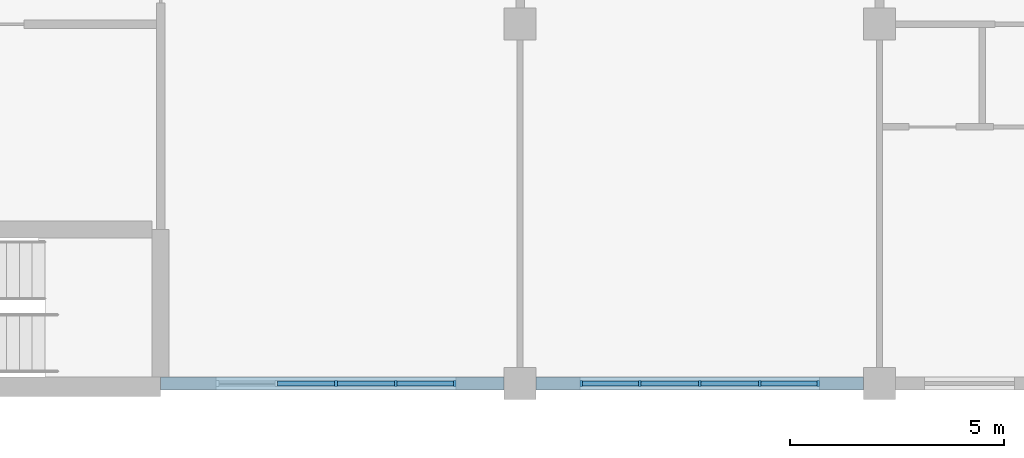
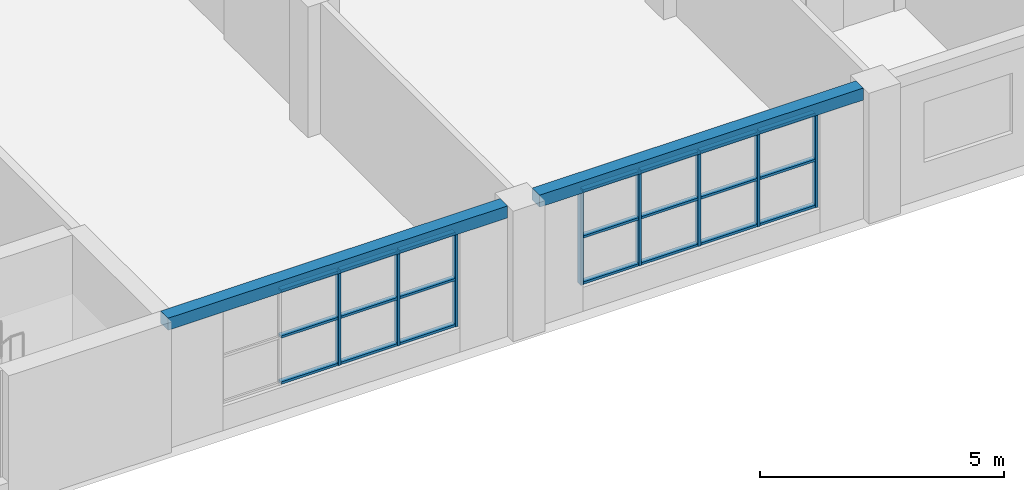
# One storey, part 12 of 61: 29 members, 2 beams, 2 elements without a shape of their own.
"""IFC4 building model written with IfcOpenShell, lengths in metres."""

from ifc_helpers import new_model, si_unit, direction, frame, origin, origin_2d, place, context, subcontext, project, spatial, rectangle, extrude, material, material_profile, profile_set, type_object, element, aggregate, save


model = new_model("IFC4")

# Units and contexts
model_context = context("Model", 3, precision=1e-05, world=origin(), true_north=direction((0.0, 1.0)))
body_context = subcontext(model_context, "Body", "Model", "MODEL_VIEW")
ifc_project = project(units=[si_unit("LENGTHUNIT", "METRE"), si_unit("AREAUNIT", "SQUARE_METRE"), si_unit("VOLUMEUNIT", "CUBIC_METRE"), si_unit("PLANEANGLEUNIT", "RADIAN"), si_unit("MASSUNIT", "GRAM", prefix="KILO")], contexts=[model_context])

# Site, building, storey
site_placement = place(None, origin())
site = spatial("IfcSite", under=ifc_project, at=site_placement, CompositionType="ELEMENT")
building_placement = place(site_placement, origin())
building = spatial("IfcBuilding", under=site, at=building_placement, Name="Yavir Park General Hospital", CompositionType="ELEMENT")
storey_placement = place(building_placement, frame((0.0, 0.0, 15.300048828125)))
storey = spatial("IfcBuildingStorey", under=building, at=storey_placement, Name="L03", CompositionType="ELEMENT", Elevation=15.300048828125)

# Curtain wall, members
ifc_material_1 = material(Name="Aluminium curtain wall frame with insulated glazing", Category="aluminium")
curtain_wall_type = type_object("IfcCurtainWallType", Name="Day room pocket glazing, ward floors, 2360 high, 1400 module", PredefinedType="NOTDEFINED", material=ifc_material_1)
curtain_wall_1_placement = place(storey_placement, origin())
curtain_wall_1 = element("IfcCurtainWall", 1, at=curtain_wall_1_placement, inside=storey, type_object=curtain_wall_type, Name="CW6 L03-006", PredefinedType="NOTDEFINED")
ifc_material_2 = material(Name="Aluminium", Category="aluminium")
ifc_material_profile_1 = material_profile(ifc_material_2, rectangle(XDim=0.139892578125, YDim=0.06005859375, at=origin_2d()), Name="AL 60x140")
ifc_profile_set_1 = profile_set([ifc_material_profile_1], Name="Aluminium")
member_type_1 = type_object("IfcMemberType", Name="Day room pocket glazing, ward floors, 2360 high mullion 60 x 140", PredefinedType="MULLION", material=ifc_profile_set_1)
member_1_placement = place(storey_placement, frame((113.300048828125, 0.0, 0.599853515625), z_axis=(0.0, 0.0, 1.0), x_axis=(0.0, 1.0, 0.0)))
member_1 = element("IfcMember", 2, at=member_1_placement, type_object=member_type_1, Name="CW6 mullion 3", PredefinedType="MULLION", context=body_context, shape_type="SweptSolid", body=[
    extrude(rectangle(XDim=0.139892578125, YDim=0.06005859375, at=origin_2d()), origin(), (0.0, 0.0, 1.0), 2.360107421875),
])
member_2_placement = place(storey_placement, frame((114.699951171875, 0.0, 0.599853515625), z_axis=(0.0, 0.0, 1.0), x_axis=(0.0, 1.0, 0.0)))
member_2 = element("IfcMember", 3, at=member_2_placement, type_object=member_type_1, Name="CW6 mullion 4", PredefinedType="MULLION", context=body_context, shape_type="SweptSolid", body=[
    extrude(rectangle(XDim=0.139892578125, YDim=0.06005859375, at=origin_2d()), origin(), (0.0, 0.0, 1.0), 2.360107421875),
])
member_3_placement = place(storey_placement, frame((116.070068359375, 0.0, 0.599853515625), z_axis=(0.0, 0.0, 1.0), x_axis=(0.0, 1.0, 0.0)))
member_3 = element("IfcMember", 4, at=member_3_placement, type_object=member_type_1, Name="CW6 mullion 5", PredefinedType="MULLION", context=body_context, shape_type="SweptSolid", body=[
    extrude(rectangle(XDim=0.139892578125, YDim=0.06005859375, at=origin_2d()), origin(), (0.0, 0.0, 1.0), 2.360107421875),
])

curtain_wall_2_placement = place(storey_placement, origin())
curtain_wall_2 = element("IfcCurtainWall", 5, at=curtain_wall_2_placement, inside=storey, type_object=curtain_wall_type, Name="CW6 L03-007", PredefinedType="NOTDEFINED")
member_4_placement = place(storey_placement, frame((119.030029296875, 0.0, 0.599853515625), z_axis=(0.0, 0.0, 1.0), x_axis=(0.0, 1.0, 0.0)))
member_4 = element("IfcMember", 6, at=member_4_placement, type_object=member_type_1, Name="CW6 mullion 1", PredefinedType="MULLION", context=body_context, shape_type="SweptSolid", body=[
    extrude(rectangle(XDim=0.139892578125, YDim=0.06005859375, at=origin_2d()), origin(), (0.0, 0.0, 1.0), 2.360107421875),
])
member_5_placement = place(storey_placement, frame((120.39990234375, 0.0, 0.599853515625), z_axis=(0.0, 0.0, 1.0), x_axis=(0.0, 1.0, 0.0)))
member_5 = element("IfcMember", 7, at=member_5_placement, type_object=member_type_1, Name="CW6 mullion 2", PredefinedType="MULLION", context=body_context, shape_type="SweptSolid", body=[
    extrude(rectangle(XDim=0.139892578125, YDim=0.06005859375, at=origin_2d()), origin(), (0.0, 0.0, 1.0), 2.360107421875),
])
member_6_placement = place(storey_placement, frame((121.800048828125, 0.0, 0.599853515625), z_axis=(0.0, 0.0, 1.0), x_axis=(0.0, 1.0, 0.0)))
member_6 = element("IfcMember", 8, at=member_6_placement, type_object=member_type_1, Name="CW6 mullion 3", PredefinedType="MULLION", context=body_context, shape_type="SweptSolid", body=[
    extrude(rectangle(XDim=0.139892578125, YDim=0.06005859375, at=origin_2d()), origin(), (0.0, 0.0, 1.0), 2.360107421875),
])
member_7_placement = place(storey_placement, frame((123.199951171875, 0.0, 0.599853515625), z_axis=(0.0, 0.0, 1.0), x_axis=(0.0, 1.0, 0.0)))
member_7 = element("IfcMember", 9, at=member_7_placement, type_object=member_type_1, Name="CW6 mullion 4", PredefinedType="MULLION", context=body_context, shape_type="SweptSolid", body=[
    extrude(rectangle(XDim=0.139892578125, YDim=0.06005859375, at=origin_2d()), origin(), (0.0, 0.0, 1.0), 2.360107421875),
])
member_8_placement = place(storey_placement, frame((124.570068359375, 0.0, 0.599853515625), z_axis=(0.0, 0.0, 1.0), x_axis=(0.0, 1.0, 0.0)))
member_8 = element("IfcMember", 10, at=member_8_placement, type_object=member_type_1, Name="CW6 mullion 5", PredefinedType="MULLION", context=body_context, shape_type="SweptSolid", body=[
    extrude(rectangle(XDim=0.139892578125, YDim=0.06005859375, at=origin_2d()), origin(), (0.0, 0.0, 1.0), 2.360107421875),
])

# Member
ifc_material_3 = material(Name="Aluminium", Category="aluminium")
ifc_material_profile_2 = material_profile(ifc_material_3, rectangle(XDim=0.1201171875, YDim=0.06005859375, at=origin_2d()), Name="AL 120x60")
ifc_profile_set_2 = profile_set([ifc_material_profile_2], Name="Aluminium")
member_type_2 = type_object("IfcMemberType", Name="Day room pocket glazing, ward floors, 2360 high transom 60 x 120", PredefinedType="MULLION", material=ifc_profile_set_2)
member_9_placement = place(storey_placement, frame((111.929931640625, 0.0, 0.6298828125), z_axis=(1.0, 0.0, 0.0), x_axis=(0.0, 1.0, 0.0)))
member_9 = element("IfcMember", 11, at=member_9_placement, type_object=member_type_2, Name="CW6 transom 2.1", PredefinedType="MULLION", context=body_context, shape_type="SweptSolid", body=[
    extrude(rectangle(XDim=0.1201171875, YDim=0.06005859375, at=origin_2d()), origin(), (0.0, 0.0, 1.0), 1.340087890625),
])

member_10_placement = place(storey_placement, frame((111.929931640625, 0.0, 1.780029296875), z_axis=(1.0, 0.0, 0.0), x_axis=(0.0, 1.0, 0.0)))
member_10 = element("IfcMember", 12, at=member_10_placement, type_object=member_type_2, Name="CW6 transom 2.2", PredefinedType="MULLION", context=body_context, shape_type="SweptSolid", body=[
    extrude(rectangle(XDim=0.1201171875, YDim=0.06005859375, at=origin_2d()), origin(), (0.0, 0.0, 1.0), 1.340087890625),
])

member_11_placement = place(storey_placement, frame((111.929931640625, 0.0, 2.929931640625), z_axis=(1.0, 0.0, 0.0), x_axis=(0.0, 1.0, 0.0)))
member_11 = element("IfcMember", 13, at=member_11_placement, type_object=member_type_2, Name="CW6 transom 2.3", PredefinedType="MULLION", context=body_context, shape_type="SweptSolid", body=[
    extrude(rectangle(XDim=0.1201171875, YDim=0.06005859375, at=origin_2d()), origin(), (0.0, 0.0, 1.0), 1.340087890625),
])

member_12_placement = place(storey_placement, frame((113.330078125, 0.0, 0.6298828125), z_axis=(1.0, 0.0, 0.0), x_axis=(0.0, 1.0, 0.0)))
member_12 = element("IfcMember", 14, at=member_12_placement, type_object=member_type_2, Name="CW6 transom 3.1", PredefinedType="MULLION", context=body_context, shape_type="SweptSolid", body=[
    extrude(rectangle(XDim=0.1201171875, YDim=0.06005859375, at=origin_2d()), origin(), (0.0, 0.0, 1.0), 1.33984375),
])

member_13_placement = place(storey_placement, frame((113.330078125, 0.0, 1.780029296875), z_axis=(1.0, 0.0, 0.0), x_axis=(0.0, 1.0, 0.0)))
member_13 = element("IfcMember", 15, at=member_13_placement, type_object=member_type_2, Name="CW6 transom 3.2", PredefinedType="MULLION", context=body_context, shape_type="SweptSolid", body=[
    extrude(rectangle(XDim=0.1201171875, YDim=0.06005859375, at=origin_2d()), origin(), (0.0, 0.0, 1.0), 1.33984375),
])

member_14_placement = place(storey_placement, frame((113.330078125, 0.0, 2.929931640625), z_axis=(1.0, 0.0, 0.0), x_axis=(0.0, 1.0, 0.0)))
member_14 = element("IfcMember", 16, at=member_14_placement, type_object=member_type_2, Name="CW6 transom 3.3", PredefinedType="MULLION", context=body_context, shape_type="SweptSolid", body=[
    extrude(rectangle(XDim=0.1201171875, YDim=0.06005859375, at=origin_2d()), origin(), (0.0, 0.0, 1.0), 1.33984375),
])

member_15_placement = place(storey_placement, frame((114.72998046875, 0.0, 0.6298828125), z_axis=(1.0, 0.0, 0.0), x_axis=(0.0, 1.0, 0.0)))
member_15 = element("IfcMember", 17, at=member_15_placement, type_object=member_type_2, Name="CW6 transom 4.1", PredefinedType="MULLION", context=body_context, shape_type="SweptSolid", body=[
    extrude(rectangle(XDim=0.1201171875, YDim=0.06005859375, at=origin_2d()), origin(), (0.0, 0.0, 1.0), 1.31005859375),
])

member_16_placement = place(storey_placement, frame((114.72998046875, 0.0, 1.780029296875), z_axis=(1.0, 0.0, 0.0), x_axis=(0.0, 1.0, 0.0)))
member_16 = element("IfcMember", 18, at=member_16_placement, type_object=member_type_2, Name="CW6 transom 4.2", PredefinedType="MULLION", context=body_context, shape_type="SweptSolid", body=[
    extrude(rectangle(XDim=0.1201171875, YDim=0.06005859375, at=origin_2d()), origin(), (0.0, 0.0, 1.0), 1.31005859375),
])

member_17_placement = place(storey_placement, frame((114.72998046875, 0.0, 2.929931640625), z_axis=(1.0, 0.0, 0.0), x_axis=(0.0, 1.0, 0.0)))
member_17 = element("IfcMember", 19, at=member_17_placement, type_object=member_type_2, Name="CW6 transom 4.3", PredefinedType="MULLION", context=body_context, shape_type="SweptSolid", body=[
    extrude(rectangle(XDim=0.1201171875, YDim=0.06005859375, at=origin_2d()), origin(), (0.0, 0.0, 1.0), 1.31005859375),
])

aggregate(curtain_wall_1, [member_1, member_2, member_3, member_9, member_10, member_11, member_12, member_13, member_14, member_15, member_16, member_17])

member_18_placement = place(storey_placement, frame((119.06005859375, 0.0, 0.6298828125), z_axis=(1.0, 0.0, 0.0), x_axis=(0.0, 1.0, 0.0)))
member_18 = element("IfcMember", 20, at=member_18_placement, type_object=member_type_2, Name="CW6 transom 1.1", PredefinedType="MULLION", context=body_context, shape_type="SweptSolid", body=[
    extrude(rectangle(XDim=0.1201171875, YDim=0.06005859375, at=origin_2d()), origin(), (0.0, 0.0, 1.0), 1.31005859375),
])

member_19_placement = place(storey_placement, frame((119.06005859375, 0.0, 1.780029296875), z_axis=(1.0, 0.0, 0.0), x_axis=(0.0, 1.0, 0.0)))
member_19 = element("IfcMember", 21, at=member_19_placement, type_object=member_type_2, Name="CW6 transom 1.2", PredefinedType="MULLION", context=body_context, shape_type="SweptSolid", body=[
    extrude(rectangle(XDim=0.1201171875, YDim=0.06005859375, at=origin_2d()), origin(), (0.0, 0.0, 1.0), 1.31005859375),
])

member_20_placement = place(storey_placement, frame((119.06005859375, 0.0, 2.929931640625), z_axis=(1.0, 0.0, 0.0), x_axis=(0.0, 1.0, 0.0)))
member_20 = element("IfcMember", 22, at=member_20_placement, type_object=member_type_2, Name="CW6 transom 1.3", PredefinedType="MULLION", context=body_context, shape_type="SweptSolid", body=[
    extrude(rectangle(XDim=0.1201171875, YDim=0.06005859375, at=origin_2d()), origin(), (0.0, 0.0, 1.0), 1.31005859375),
])

member_21_placement = place(storey_placement, frame((120.429931640625, 0.0, 0.6298828125), z_axis=(1.0, 0.0, 0.0), x_axis=(0.0, 1.0, 0.0)))
member_21 = element("IfcMember", 23, at=member_21_placement, type_object=member_type_2, Name="CW6 transom 2.1", PredefinedType="MULLION", context=body_context, shape_type="SweptSolid", body=[
    extrude(rectangle(XDim=0.1201171875, YDim=0.06005859375, at=origin_2d()), origin(), (0.0, 0.0, 1.0), 1.340087890625),
])

member_22_placement = place(storey_placement, frame((120.429931640625, 0.0, 1.780029296875), z_axis=(1.0, 0.0, 0.0), x_axis=(0.0, 1.0, 0.0)))
member_22 = element("IfcMember", 24, at=member_22_placement, type_object=member_type_2, Name="CW6 transom 2.2", PredefinedType="MULLION", context=body_context, shape_type="SweptSolid", body=[
    extrude(rectangle(XDim=0.1201171875, YDim=0.06005859375, at=origin_2d()), origin(), (0.0, 0.0, 1.0), 1.340087890625),
])

member_23_placement = place(storey_placement, frame((120.429931640625, 0.0, 2.929931640625), z_axis=(1.0, 0.0, 0.0), x_axis=(0.0, 1.0, 0.0)))
member_23 = element("IfcMember", 25, at=member_23_placement, type_object=member_type_2, Name="CW6 transom 2.3", PredefinedType="MULLION", context=body_context, shape_type="SweptSolid", body=[
    extrude(rectangle(XDim=0.1201171875, YDim=0.06005859375, at=origin_2d()), origin(), (0.0, 0.0, 1.0), 1.340087890625),
])

member_24_placement = place(storey_placement, frame((121.830078125, 0.0, 0.6298828125), z_axis=(1.0, 0.0, 0.0), x_axis=(0.0, 1.0, 0.0)))
member_24 = element("IfcMember", 26, at=member_24_placement, type_object=member_type_2, Name="CW6 transom 3.1", PredefinedType="MULLION", context=body_context, shape_type="SweptSolid", body=[
    extrude(rectangle(XDim=0.1201171875, YDim=0.06005859375, at=origin_2d()), origin(), (0.0, 0.0, 1.0), 1.33984375),
])

member_25_placement = place(storey_placement, frame((121.830078125, 0.0, 1.780029296875), z_axis=(1.0, 0.0, 0.0), x_axis=(0.0, 1.0, 0.0)))
member_25 = element("IfcMember", 27, at=member_25_placement, type_object=member_type_2, Name="CW6 transom 3.2", PredefinedType="MULLION", context=body_context, shape_type="SweptSolid", body=[
    extrude(rectangle(XDim=0.1201171875, YDim=0.06005859375, at=origin_2d()), origin(), (0.0, 0.0, 1.0), 1.33984375),
])

member_26_placement = place(storey_placement, frame((121.830078125, 0.0, 2.929931640625), z_axis=(1.0, 0.0, 0.0), x_axis=(0.0, 1.0, 0.0)))
member_26 = element("IfcMember", 28, at=member_26_placement, type_object=member_type_2, Name="CW6 transom 3.3", PredefinedType="MULLION", context=body_context, shape_type="SweptSolid", body=[
    extrude(rectangle(XDim=0.1201171875, YDim=0.06005859375, at=origin_2d()), origin(), (0.0, 0.0, 1.0), 1.33984375),
])

member_27_placement = place(storey_placement, frame((123.22998046875, 0.0, 0.6298828125), z_axis=(1.0, 0.0, 0.0), x_axis=(0.0, 1.0, 0.0)))
member_27 = element("IfcMember", 29, at=member_27_placement, type_object=member_type_2, Name="CW6 transom 4.1", PredefinedType="MULLION", context=body_context, shape_type="SweptSolid", body=[
    extrude(rectangle(XDim=0.1201171875, YDim=0.06005859375, at=origin_2d()), origin(), (0.0, 0.0, 1.0), 1.31005859375),
])

member_28_placement = place(storey_placement, frame((123.22998046875, 0.0, 1.780029296875), z_axis=(1.0, 0.0, 0.0), x_axis=(0.0, 1.0, 0.0)))
member_28 = element("IfcMember", 30, at=member_28_placement, type_object=member_type_2, Name="CW6 transom 4.2", PredefinedType="MULLION", context=body_context, shape_type="SweptSolid", body=[
    extrude(rectangle(XDim=0.1201171875, YDim=0.06005859375, at=origin_2d()), origin(), (0.0, 0.0, 1.0), 1.31005859375),
])

member_29_placement = place(storey_placement, frame((123.22998046875, 0.0, 2.929931640625), z_axis=(1.0, 0.0, 0.0), x_axis=(0.0, 1.0, 0.0)))
member_29 = element("IfcMember", 31, at=member_29_placement, type_object=member_type_2, Name="CW6 transom 4.3", PredefinedType="MULLION", context=body_context, shape_type="SweptSolid", body=[
    extrude(rectangle(XDim=0.1201171875, YDim=0.06005859375, at=origin_2d()), origin(), (0.0, 0.0, 1.0), 1.31005859375),
])

aggregate(curtain_wall_2, [member_4, member_5, member_6, member_7, member_8, member_18, member_19, member_20, member_21, member_22, member_23, member_24, member_25, member_26, member_27, member_28, member_29])

# Beams
ifc_material_4 = material(Name="Concrete C35/45", Category="concrete")
ifc_material_profile_3 = material_profile(ifc_material_4, rectangle(XDim=0.300048828125, YDim=0.300048828125, at=origin_2d()), Name="RC300x300")
ifc_profile_set_3 = profile_set([ifc_material_profile_3], Name="Concrete C35/45")
beam_type = type_object("IfcBeamType", Name="RC BEAM 300x300 edge beam", PredefinedType="BEAM", material=ifc_profile_set_3)
beam_1_placement = place(storey_placement, frame((109.199951171875, 0.0, 3.10986328125), z_axis=(1.0, 0.0, 0.0), x_axis=(0.0, 1.0, 0.0)))
element("IfcBeam", 32, at=beam_1_placement, inside=storey, type_object=beam_type, Name="B:EDGE:L03:005", PredefinedType="BEAM", context=body_context, shape_type="SweptSolid", body=[
    extrude(rectangle(XDim=0.300048828125, YDim=0.300048828125, at=origin_2d()), origin(), (0.0, 0.0, 1.0), 8.025146484375),
])
beam_2_placement = place(storey_placement, frame((117.97509765625, 0.0, 3.10986328125), z_axis=(1.0, 0.0, 0.0), x_axis=(0.0, 1.0, 0.0)))
element("IfcBeam", 33, at=beam_2_placement, inside=storey, type_object=beam_type, Name="B:EDGE:L03:006", PredefinedType="BEAM", context=body_context, shape_type="SweptSolid", body=[
    extrude(rectangle(XDim=0.300048828125, YDim=0.300048828125, at=origin_2d()), origin(), (0.0, 0.0, 1.0), 7.64990234375),
])

save(model, "model.ifc")
